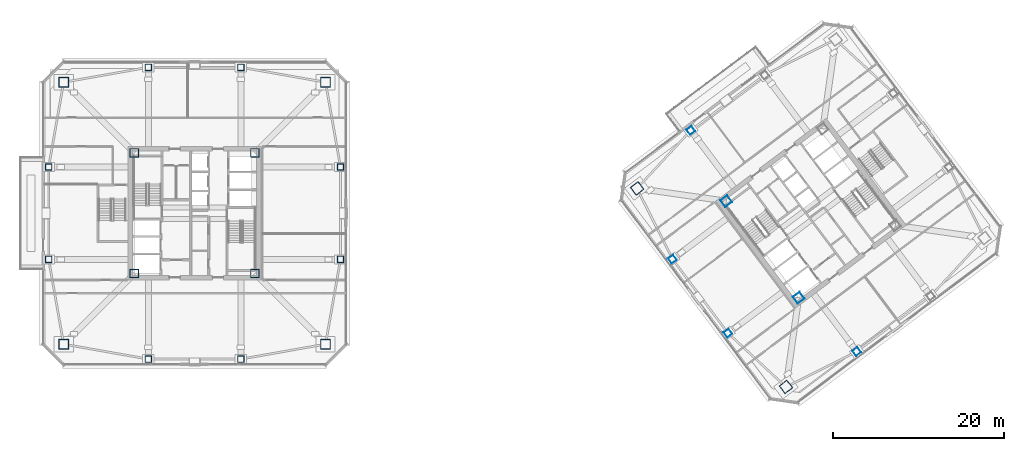
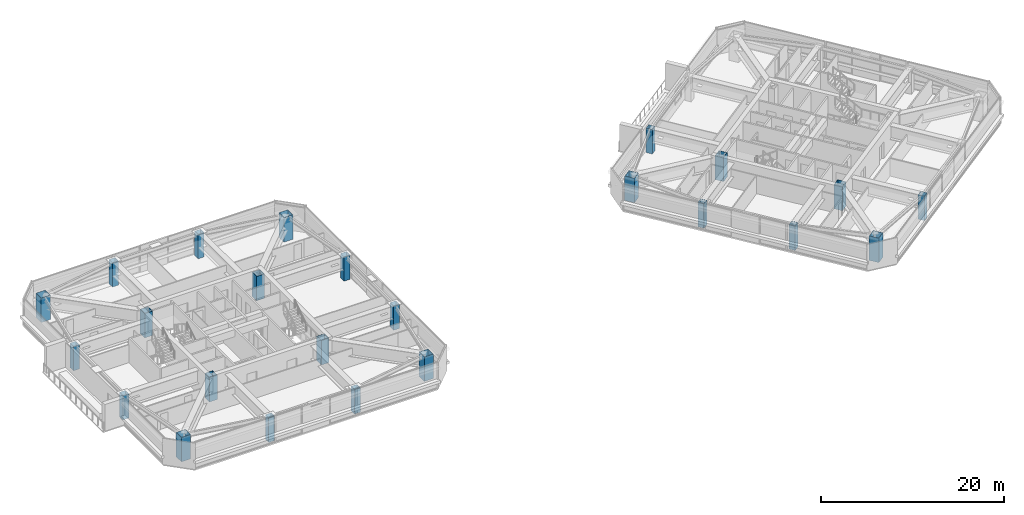
# One storey, part 1 of 42: 24 columns.
"""IFC4 building model written with IfcOpenShell, lengths in metres."""

from ifc_helpers import new_model, si_unit, direction, frame, origin, origin_2d, place, context, subcontext, project, spatial, hollow_rectangle, extrude, material, material_profile, profile_set, type_object, element, save


model = new_model("IFC4")

# Units and contexts
model_context = context("Model", 3, precision=1e-05, world=origin(), true_north=direction((0.0, 1.0)))
body_context = subcontext(model_context, "Body", "Model", "MODEL_VIEW")
ifc_project = project(units=[si_unit("LENGTHUNIT", "METRE"), si_unit("AREAUNIT", "SQUARE_METRE"), si_unit("VOLUMEUNIT", "CUBIC_METRE"), si_unit("PLANEANGLEUNIT", "RADIAN"), si_unit("MASSUNIT", "GRAM", prefix="KILO")], contexts=[model_context])

# Site, building, storey
site_placement = place(None, origin())
site = spatial("IfcSite", under=ifc_project, at=site_placement, CompositionType="ELEMENT")
building_placement = place(site_placement, origin())
building = spatial("IfcBuilding", under=site, at=building_placement, Name="Tashvorn Skyway Center", CompositionType="ELEMENT")
storey_placement = place(building_placement, frame((0.0, 0.0, 196.050048828125)))
storey = spatial("IfcBuildingStorey", under=building, at=storey_placement, Name="L53", CompositionType="ELEMENT", Elevation=196.050048828125)

# Columns
ifc_material = material(Name="Steel ASTM A572 Grade 50", Category="steel")
ifc_material_profile_1 = material_profile(ifc_material, hollow_rectangle(XDim=1.0, YDim=1.0, WallThickness=0.0400390625, at=origin_2d()), Name="BOX1000x1000x40")
ifc_profile_set_1 = profile_set([ifc_material_profile_1], Name="Steel ASTM A572 Grade 50")
column_type_1 = type_object("IfcColumnType", Name="COL-BOX1000x1000x40", PredefinedType="COLUMN", material=ifc_profile_set_1)
for number, where, z_axis, x_axis, name in (
    (1, (34.949951171875, 24.949951171875, 0.0), (0.0, 0.0, 1.0), (1.0, 0.0, 0.0), "Tower 1 L53 Core Corner Column CC-SW"),
    (2, (49.050048828125, 24.949951171875, 0.0), (0.0, 0.0, 1.0), (1.0, 0.0, 0.0), "Tower 1 L53 Core Corner Column CC-SE"),
    (3, (49.050048828125, 39.050048828125, 0.0), (0.0, 0.0, 1.0), (1.0, 0.0, 0.0), "Tower 1 L53 Core Corner Column CC-NE"),
    (4, (34.949951171875, 39.050048828125, 0.0), (0.0, 0.0, 1.0), (1.0, 0.0, 0.0), "Tower 1 L53 Core Corner Column CC-NW"),
    (5, (112.590087890625, 22.1298828125, 0.0), (0.0, 0.0, 1.0), (0.799999996291, 0.600000004945, 0.0), "Tower 2 L53 Core Corner Column CC-SW"),
    (6, (104.1298828125, 33.409912109375, 0.0), (0.0, 0.0, 1.0), (0.799999996291, 0.600000004945, 0.0), "Tower 2 L53 Core Corner Column CC-NW"),
):
    element("IfcColumn", number, at=place(storey_placement, frame(where, z_axis=z_axis, x_axis=x_axis)), inside=storey, type_object=column_type_1, Name=name, PredefinedType="COLUMN", context=body_context, shape_type="SweptSolid", body=[
        extrude(hollow_rectangle(XDim=1.0, YDim=1.0, WallThickness=0.0400390625, at=origin_2d()), origin(), (0.0, 0.0, 1.0), 3.25),
    ])
ifc_material_profile_2 = material_profile(ifc_material, hollow_rectangle(XDim=1.14990234375, YDim=1.14990234375, WallThickness=0.044921875, at=origin_2d()), Name="BOX1150x1150x45")
ifc_profile_set_2 = profile_set([ifc_material_profile_2], Name="Steel ASTM A572 Grade 50")
column_type_2 = type_object("IfcColumnType", Name="COL-BOX1150x1150x45", PredefinedType="COLUMN", material=ifc_profile_set_2)
for number, where, z_axis, x_axis, name in (
    (7, (26.699951171875, 16.699951171875, 0.0), (0.0, 0.0, 1.0), (1.0, 0.0, 0.0), "Tower 1 L53 Mega-Column MC-SW"),
    (8, (57.300048828125, 16.699951171875, 0.0), (0.0, 0.0, 1.0), (1.0, 0.0, 0.0), "Tower 1 L53 Mega-Column MC-SE"),
    (9, (57.300048828125, 47.300048828125, 0.0), (0.0, 0.0, 1.0), (1.0, 0.0, 0.0), "Tower 1 L53 Mega-Column MC-NE"),
    (10, (26.699951171875, 47.300048828125, 0.0), (0.0, 0.0, 1.0), (1.0, 0.0, 0.0), "Tower 1 L53 Mega-Column MC-NW"),
    (11, (111.10009765625, 11.699951171875, 0.0), (0.0, 0.0, 1.0), (0.799999996291, 0.600000004945, 0.0), "Tower 2 L53 Mega-Column MC-SW"),
    (12, (93.699951171875, 34.89990234375, 0.0), (0.0, 0.0, 1.0), (0.799999996291, 0.600000004945, 0.0), "Tower 2 L53 Mega-Column MC-NW"),
):
    element("IfcColumn", number, at=place(storey_placement, frame(where, z_axis=z_axis, x_axis=x_axis)), inside=storey, type_object=column_type_2, Name=name, PredefinedType="COLUMN", context=body_context, shape_type="SweptSolid", body=[
        extrude(hollow_rectangle(XDim=1.14990234375, YDim=1.14990234375, WallThickness=0.044921875, at=origin_2d()), origin(), (0.0, 0.0, 1.0), 3.25),
    ])
ifc_material_profile_3 = material_profile(ifc_material, hollow_rectangle(XDim=0.75, YDim=0.75, WallThickness=0.031982421875, at=origin_2d()), Name="BOX750x750x32")
ifc_profile_set_3 = profile_set([ifc_material_profile_3], Name="Steel ASTM A572 Grade 50")
column_type_3 = type_object("IfcColumnType", Name="COL-BOX750x750x32", PredefinedType="COLUMN", material=ifc_profile_set_3)
for number, where, z_axis, x_axis, name in (
    (13, (36.60009765625, 14.949951171875, 0.0), (0.0, 0.0, 1.0), (1.0, 0.0, 0.0), "Tower 1 L53 Perimeter Column FC-S1"),
    (14, (47.39990234375, 14.949951171875, 0.0), (0.0, 0.0, 1.0), (1.0, 0.0, 0.0), "Tower 1 L53 Perimeter Column FC-S2"),
    (15, (59.050048828125, 26.60009765625, 0.0), (0.0, 0.0, 1.0), (1.0, 0.0, 0.0), "Tower 1 L53 Perimeter Column FC-E1"),
    (16, (59.050048828125, 37.39990234375, 0.0), (0.0, 0.0, 1.0), (1.0, 0.0, 0.0), "Tower 1 L53 Perimeter Column FC-E2"),
    (17, (47.39990234375, 49.050048828125, 0.0), (0.0, 0.0, 1.0), (1.0, 0.0, 0.0), "Tower 1 L53 Perimeter Column FC-N1"),
    (18, (36.60009765625, 49.050048828125, 0.0), (0.0, 0.0, 1.0), (1.0, 0.0, 0.0), "Tower 1 L53 Perimeter Column FC-N2"),
    (19, (24.949951171875, 37.39990234375, 0.0), (0.0, 0.0, 1.0), (1.0, 0.0, 0.0), "Tower 1 L53 Perimeter Column FC-W1"),
    (20, (24.949951171875, 26.60009765625, 0.0), (0.0, 0.0, 1.0), (1.0, 0.0, 0.0), "Tower 1 L53 Perimeter Column FC-W2"),
    (21, (119.3701171875, 15.840087890625, 0.0), (0.0, 0.0, 1.0), (0.799999996291, 0.600000004945, 0.0), "Tower 2 L53 Perimeter Column FC-S1"),
    (22, (99.989990234375, 41.679931640625, 0.0), (0.0, 0.0, 1.0), (0.799999996291, 0.600000004945, 0.0), "Tower 2 L53 Perimeter Column FC-N2"),
    (23, (97.840087890625, 26.6298828125, 0.0), (0.0, 0.0, 1.0), (0.799999996291, 0.600000004945, 0.0), "Tower 2 L53 Perimeter Column FC-W1"),
    (24, (104.320068359375, 17.989990234375, 0.0), (0.0, 0.0, 1.0), (0.799999996291, 0.600000004945, 0.0), "Tower 2 L53 Perimeter Column FC-W2"),
):
    element("IfcColumn", number, at=place(storey_placement, frame(where, z_axis=z_axis, x_axis=x_axis)), inside=storey, type_object=column_type_3, Name=name, PredefinedType="COLUMN", context=body_context, shape_type="SweptSolid", body=[
        extrude(hollow_rectangle(XDim=0.75, YDim=0.75, WallThickness=0.031982421875, at=origin_2d()), origin(), (0.0, 0.0, 1.0), 3.25),
    ])

save(model, "model.ifc")
